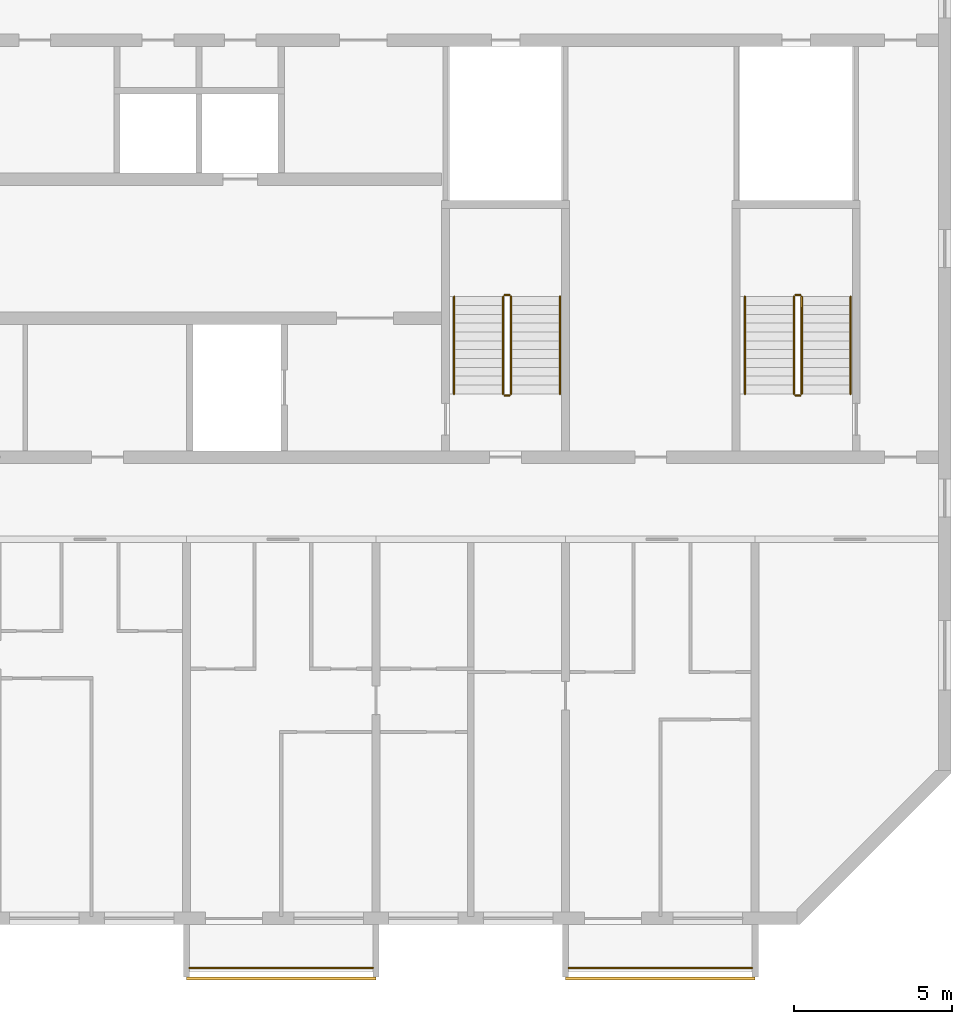
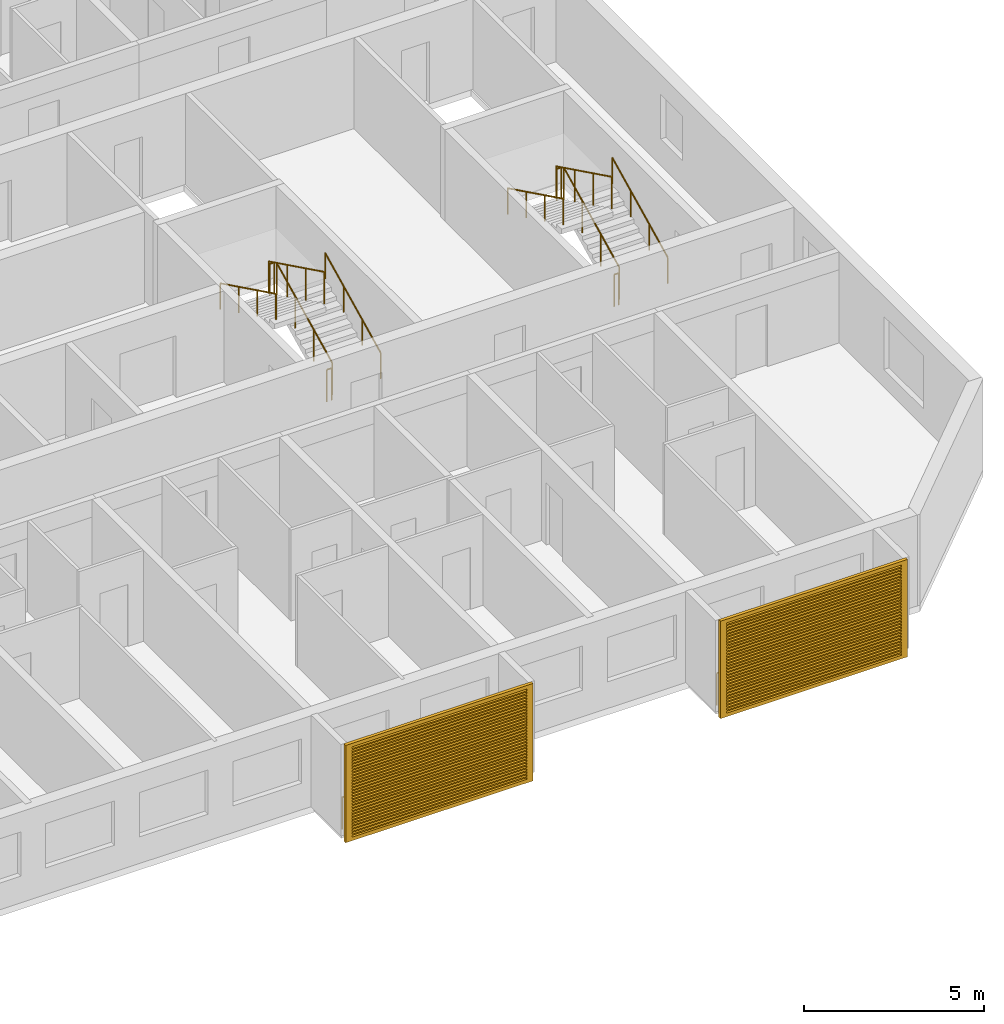
# One storey, part 14 of 28: 14 railings, 2 shading devices.
"""IFC4 building model written with IfcOpenShell, lengths in metres."""

from ifc_helpers import new_model, si_unit, direction, frame, origin, origin_2d, place, context, subcontext, project, spatial, polyline, circle, outline, extrude, source, transform, mapped, material, material_profile, profile_set, type_object, element, save


model = new_model("IFC4")

# Units and contexts
model_context = context("Model", 3, precision=1e-05, world=origin(), true_north=direction((0.0, 1.0)))
body_context = subcontext(model_context, "Body", "Model", "MODEL_VIEW")
ifc_project = project(units=[si_unit("LENGTHUNIT", "METRE"), si_unit("AREAUNIT", "SQUARE_METRE"), si_unit("VOLUMEUNIT", "CUBIC_METRE"), si_unit("PLANEANGLEUNIT", "RADIAN"), si_unit("MASSUNIT", "GRAM", prefix="KILO")], contexts=[model_context])

# Site, building, storey
site_placement = place(None, origin())
site = spatial("IfcSite", under=ifc_project, at=site_placement, CompositionType="ELEMENT")
building_placement = place(site_placement, origin())
building = spatial("IfcBuilding", under=site, at=building_placement, Name="Poui Terraces", CompositionType="ELEMENT")
storey_placement = place(building_placement, frame((0.0, 0.0, 185.10009765625)))
storey = spatial("IfcBuildingStorey", under=building, at=storey_placement, Name="L51", CompositionType="ELEMENT", Elevation=185.10009765625)

# Railings
ifc_material_1 = material(Name="Painted steel fretwork", Category="steel")
railing_type_1 = type_object("IfcRailingType", Name="BALCONY GUARD 1100", PredefinedType="GUARDRAIL", material=ifc_material_1)
for number, where, name in (
    (1, (60.10009765625, -1.570068359375, 0.0), "BALCONY GUARD"),
    (2, (72.10009765625, -1.570068359375, 0.0), "BALCONY GUARD"),
):
    element("IfcRailing", number, at=place(storey_placement, frame(where)), inside=storey, type_object=railing_type_1, Name=name, PredefinedType="GUARDRAIL", context=body_context, shape_type="SweptSolid", body=[
        extrude(circle(Radius=0.02392578125, at=origin_2d()), frame((0.0, 0.0, 1.076171875), z_axis=(1.0, 0.0, 0.0), x_axis=(0.0, 1.0, 0.0)), (0.0, 0.0, 1.0), 5.7998046875),
        extrude(circle(Radius=0.02099609375, at=origin_2d()), origin(), (0.0, 0.0, 1.0), 1.052001953125),
        extrude(circle(Radius=0.02099609375, at=origin_2d()), frame((0.966552734375, 0.0, 0.0)), (0.0, 0.0, 1.0), 1.052001953125),
        extrude(circle(Radius=0.02099609375, at=origin_2d()), frame((1.933349609375, 0.0, 0.0)), (0.0, 0.0, 1.0), 1.052001953125),
        extrude(circle(Radius=0.02099609375, at=origin_2d()), frame((2.89990234375, 0.0, 0.0)), (0.0, 0.0, 1.0), 1.052001953125),
        extrude(circle(Radius=0.02099609375, at=origin_2d()), frame((3.866455078125, 0.0, 0.0)), (0.0, 0.0, 1.0), 1.052001953125),
        extrude(circle(Radius=0.02099609375, at=origin_2d()), frame((4.833251953125, 0.0, 0.0)), (0.0, 0.0, 1.0), 1.052001953125),
        extrude(circle(Radius=0.02099609375, at=origin_2d()), frame((5.7998046875, 0.0, 0.0)), (0.0, 0.0, 1.0), 1.052001953125),
    ])
ifc_material_2 = material(Name="Galvanised steel balustrade", Category="steel")
railing_type_2 = type_object("IfcRailingType", Name="STAIR GUARD 1100", PredefinedType="GUARDRAIL", material=ifc_material_2)
railing_1_placement = place(storey_placement, frame((70.27490234375, 16.60009765625, 0.137451171875)))
element("IfcRailing", 3, at=railing_1_placement, inside=storey, type_object=railing_type_2, Name="L51 ST-CE stair guard 1", PredefinedType="GUARDRAIL", context=body_context, shape_type="SweptSolid", body=[
    extrude(circle(Radius=0.02392578125, at=origin_2d()), frame((0.0, 0.0, 1.076171875), z_axis=(0.0, 0.897606190399, 0.440798283751), x_axis=(-1.0, 0.0, 0.0)), (0.0, 0.0, 1.0), 3.43115234375),
    extrude(circle(Radius=0.02099609375, at=origin_2d()), origin(), (0.0, 0.0, 1.0), 1.052001953125),
    extrude(circle(Radius=0.02099609375, at=origin_2d()), frame((0.0, 1.026611328125, 0.504150390625)), (0.0, 0.0, 1.0), 1.052001953125),
    extrude(circle(Radius=0.02099609375, at=origin_2d()), frame((0.0, 2.05322265625, 1.00830078125)), (0.0, 0.0, 1.0), 1.052001953125),
    extrude(circle(Radius=0.02099609375, at=origin_2d()), frame((0.0, 3.079833984375, 1.512451171875)), (0.0, 0.0, 1.0), 1.052001953125),
])
railing_2_placement = place(storey_placement, frame((70.22509765625, 19.72998046875, 1.64990234375)))
element("IfcRailing", 4, at=railing_2_placement, inside=storey, type_object=railing_type_2, Name="L51 ST-CE stair guard 2", PredefinedType="GUARDRAIL", context=body_context, shape_type="SweptSolid", body=[
    extrude(circle(Radius=0.02392578125, at=origin_2d()), frame((0.0, 0.0, 1.076171875), z_axis=(-1.0, 0.0, 0.0), x_axis=(0.0, -1.0, 0.0)), (0.0, 0.0, 1.0), 0.150146484375),
    extrude(circle(Radius=0.02099609375, at=origin_2d()), origin(), (0.0, 0.0, 1.0), 1.052001953125),
    extrude(circle(Radius=0.02099609375, at=origin_2d()), frame((-0.150146484375, 0.0, 0.0)), (0.0, 0.0, 1.0), 1.052001953125),
])
railing_3_placement = place(storey_placement, frame((70.02490234375, 19.679931640625, 1.787353515625)))
element("IfcRailing", 5, at=railing_3_placement, inside=storey, type_object=railing_type_2, Name="L51 ST-CE stair guard 3", PredefinedType="GUARDRAIL", context=body_context, shape_type="SweptSolid", body=[
    extrude(circle(Radius=0.02392578125, at=origin_2d()), frame((0.0, 0.0, 1.076171875), z_axis=(0.0, -0.897606190399, 0.440798283751), x_axis=(1.0, 0.0, 0.0)), (0.0, 0.0, 1.0), 3.43115234375),
    extrude(circle(Radius=0.02099609375, at=origin_2d()), origin(), (0.0, 0.0, 1.0), 1.052001953125),
    extrude(circle(Radius=0.02099609375, at=origin_2d()), frame((0.0, -1.026611328125, 0.504150390625)), (0.0, 0.0, 1.0), 1.052001953125),
    extrude(circle(Radius=0.02099609375, at=origin_2d()), frame((0.0, -2.05322265625, 1.00830078125)), (0.0, 0.0, 1.0), 1.052001953125),
    extrude(circle(Radius=0.02099609375, at=origin_2d()), frame((0.0, -3.079833984375, 1.512451171875)), (0.0, 0.0, 1.0), 1.052001953125),
])
railing_4_placement = place(storey_placement, frame((70.22509765625, 16.550048828125, 0.0)))
element("IfcRailing", 6, at=railing_4_placement, inside=storey, type_object=railing_type_2, Name="L51 ST-CE stair guard 4", PredefinedType="GUARDRAIL", context=body_context, shape_type="SweptSolid", body=[
    extrude(circle(Radius=0.02392578125, at=origin_2d()), frame((0.0, 0.0, 1.076171875), z_axis=(-1.0, 0.0, 0.0), x_axis=(0.0, -1.0, 0.0)), (0.0, 0.0, 1.0), 0.150146484375),
    extrude(circle(Radius=0.02099609375, at=origin_2d()), origin(), (0.0, 0.0, 1.0), 1.052001953125),
    extrude(circle(Radius=0.02099609375, at=origin_2d()), frame((-0.150146484375, 0.0, 0.0)), (0.0, 0.0, 1.0), 1.052001953125),
])
railing_5_placement = place(storey_placement, frame((79.47509765625, 16.60009765625, 0.137451171875)))
element("IfcRailing", 7, at=railing_5_placement, inside=storey, type_object=railing_type_2, Name="L51 ST-E stair guard 1", PredefinedType="GUARDRAIL", context=body_context, shape_type="SweptSolid", body=[
    extrude(circle(Radius=0.02392578125, at=origin_2d()), frame((0.0, 0.0, 1.076171875), z_axis=(0.0, 0.897606190399, 0.440798283751), x_axis=(-1.0, 0.0, 0.0)), (0.0, 0.0, 1.0), 3.43115234375),
    extrude(circle(Radius=0.02099609375, at=origin_2d()), origin(), (0.0, 0.0, 1.0), 1.052001953125),
    extrude(circle(Radius=0.02099609375, at=origin_2d()), frame((0.0, 1.026611328125, 0.504150390625)), (0.0, 0.0, 1.0), 1.052001953125),
    extrude(circle(Radius=0.02099609375, at=origin_2d()), frame((0.0, 2.05322265625, 1.00830078125)), (0.0, 0.0, 1.0), 1.052001953125),
    extrude(circle(Radius=0.02099609375, at=origin_2d()), frame((0.0, 3.079833984375, 1.512451171875)), (0.0, 0.0, 1.0), 1.052001953125),
])
railing_6_placement = place(storey_placement, frame((79.425048828125, 19.72998046875, 1.64990234375)))
element("IfcRailing", 8, at=railing_6_placement, inside=storey, type_object=railing_type_2, Name="L51 ST-E stair guard 2", PredefinedType="GUARDRAIL", context=body_context, shape_type="SweptSolid", body=[
    extrude(circle(Radius=0.02392578125, at=origin_2d()), frame((0.0, 0.0, 1.076171875), z_axis=(-1.0, 0.0, 0.0), x_axis=(0.0, -1.0, 0.0)), (0.0, 0.0, 1.0), 0.150146484375),
    extrude(circle(Radius=0.02099609375, at=origin_2d()), origin(), (0.0, 0.0, 1.0), 1.052001953125),
    extrude(circle(Radius=0.02099609375, at=origin_2d()), frame((-0.150146484375, 0.0, 0.0)), (0.0, 0.0, 1.0), 1.052001953125),
])
railing_7_placement = place(storey_placement, frame((79.22509765625, 19.679931640625, 1.787353515625)))
element("IfcRailing", 9, at=railing_7_placement, inside=storey, type_object=railing_type_2, Name="L51 ST-E stair guard 3", PredefinedType="GUARDRAIL", context=body_context, shape_type="SweptSolid", body=[
    extrude(circle(Radius=0.02392578125, at=origin_2d()), frame((0.0, 0.0, 1.076171875), z_axis=(0.0, -0.897606190399, 0.440798283751), x_axis=(1.0, 0.0, 0.0)), (0.0, 0.0, 1.0), 3.43115234375),
    extrude(circle(Radius=0.02099609375, at=origin_2d()), origin(), (0.0, 0.0, 1.0), 1.052001953125),
    extrude(circle(Radius=0.02099609375, at=origin_2d()), frame((0.0, -1.026611328125, 0.504150390625)), (0.0, 0.0, 1.0), 1.052001953125),
    extrude(circle(Radius=0.02099609375, at=origin_2d()), frame((0.0, -2.05322265625, 1.00830078125)), (0.0, 0.0, 1.0), 1.052001953125),
    extrude(circle(Radius=0.02099609375, at=origin_2d()), frame((0.0, -3.079833984375, 1.512451171875)), (0.0, 0.0, 1.0), 1.052001953125),
])
railing_8_placement = place(storey_placement, frame((79.425048828125, 16.550048828125, 0.0)))
element("IfcRailing", 10, at=railing_8_placement, inside=storey, type_object=railing_type_2, Name="L51 ST-E stair guard 4", PredefinedType="GUARDRAIL", context=body_context, shape_type="SweptSolid", body=[
    extrude(circle(Radius=0.02392578125, at=origin_2d()), frame((0.0, 0.0, 1.076171875), z_axis=(-1.0, 0.0, 0.0), x_axis=(0.0, -1.0, 0.0)), (0.0, 0.0, 1.0), 0.150146484375),
    extrude(circle(Radius=0.02099609375, at=origin_2d()), origin(), (0.0, 0.0, 1.0), 1.052001953125),
    extrude(circle(Radius=0.02099609375, at=origin_2d()), frame((-0.150146484375, 0.0, 0.0)), (0.0, 0.0, 1.0), 1.052001953125),
])
ifc_material_3 = material(Name="Stainless steel handrail", Category="steel")
railing_type_3 = type_object("IfcRailingType", Name="STAIR HANDRAIL 900", PredefinedType="HANDRAIL", material=ifc_material_3)
railing_9_placement = place(storey_placement, frame((71.824951171875, 16.60009765625, 0.137451171875)))
element("IfcRailing", 11, at=railing_9_placement, inside=storey, type_object=railing_type_3, Name="L51 ST-CE stair handrail 1", PredefinedType="HANDRAIL", context=body_context, shape_type="SweptSolid", body=[
    extrude(circle(Radius=0.02392578125, at=origin_2d()), frame((0.0, 0.0, 0.8759765625), z_axis=(0.0, 0.897606190399, 0.440798283751), x_axis=(-1.0, 0.0, 0.0)), (0.0, 0.0, 1.0), 3.43115234375),
    extrude(circle(Radius=0.02099609375, at=origin_2d()), origin(), (0.0, 0.0, 1.0), 0.851806640625),
    extrude(circle(Radius=0.02099609375, at=origin_2d()), frame((0.0, 1.026611328125, 0.504150390625)), (0.0, 0.0, 1.0), 0.851806640625),
    extrude(circle(Radius=0.02099609375, at=origin_2d()), frame((0.0, 2.05322265625, 1.00830078125)), (0.0, 0.0, 1.0), 0.851806640625),
    extrude(circle(Radius=0.02099609375, at=origin_2d()), frame((0.0, 3.079833984375, 1.512451171875)), (0.0, 0.0, 1.0), 0.851806640625),
])
railing_10_placement = place(storey_placement, frame((68.47509765625, 19.679931640625, 1.787353515625)))
element("IfcRailing", 12, at=railing_10_placement, inside=storey, type_object=railing_type_3, Name="L51 ST-CE stair handrail 2", PredefinedType="HANDRAIL", context=body_context, shape_type="SweptSolid", body=[
    extrude(circle(Radius=0.02392578125, at=origin_2d()), frame((0.0, 0.0, 0.8759765625), z_axis=(0.0, -0.897606190399, 0.440798283751), x_axis=(1.0, 0.0, 0.0)), (0.0, 0.0, 1.0), 3.43115234375),
    extrude(circle(Radius=0.02099609375, at=origin_2d()), origin(), (0.0, 0.0, 1.0), 0.851806640625),
    extrude(circle(Radius=0.02099609375, at=origin_2d()), frame((0.0, -1.026611328125, 0.504150390625)), (0.0, 0.0, 1.0), 0.851806640625),
    extrude(circle(Radius=0.02099609375, at=origin_2d()), frame((0.0, -2.05322265625, 1.00830078125)), (0.0, 0.0, 1.0), 0.851806640625),
    extrude(circle(Radius=0.02099609375, at=origin_2d()), frame((0.0, -3.079833984375, 1.512451171875)), (0.0, 0.0, 1.0), 0.851806640625),
])
railing_11_placement = place(storey_placement, frame((81.02490234375, 16.60009765625, 0.137451171875)))
element("IfcRailing", 13, at=railing_11_placement, inside=storey, type_object=railing_type_3, Name="L51 ST-E stair handrail 1", PredefinedType="HANDRAIL", context=body_context, shape_type="SweptSolid", body=[
    extrude(circle(Radius=0.02392578125, at=origin_2d()), frame((0.0, 0.0, 0.8759765625), z_axis=(0.0, 0.897606190399, 0.440798283751), x_axis=(-1.0, 0.0, 0.0)), (0.0, 0.0, 1.0), 3.43115234375),
    extrude(circle(Radius=0.02099609375, at=origin_2d()), origin(), (0.0, 0.0, 1.0), 0.851806640625),
    extrude(circle(Radius=0.02099609375, at=origin_2d()), frame((0.0, 1.026611328125, 0.504150390625)), (0.0, 0.0, 1.0), 0.851806640625),
    extrude(circle(Radius=0.02099609375, at=origin_2d()), frame((0.0, 2.05322265625, 1.00830078125)), (0.0, 0.0, 1.0), 0.851806640625),
    extrude(circle(Radius=0.02099609375, at=origin_2d()), frame((0.0, 3.079833984375, 1.512451171875)), (0.0, 0.0, 1.0), 0.851806640625),
])
railing_12_placement = place(storey_placement, frame((77.675048828125, 19.679931640625, 1.787353515625)))
element("IfcRailing", 14, at=railing_12_placement, inside=storey, type_object=railing_type_3, Name="L51 ST-E stair handrail 2", PredefinedType="HANDRAIL", context=body_context, shape_type="SweptSolid", body=[
    extrude(circle(Radius=0.02392578125, at=origin_2d()), frame((0.0, 0.0, 0.8759765625), z_axis=(0.0, -0.897606190399, 0.440798283751), x_axis=(1.0, 0.0, 0.0)), (0.0, 0.0, 1.0), 3.43115234375),
    extrude(circle(Radius=0.02099609375, at=origin_2d()), origin(), (0.0, 0.0, 1.0), 0.851806640625),
    extrude(circle(Radius=0.02099609375, at=origin_2d()), frame((0.0, -1.026611328125, 0.504150390625)), (0.0, 0.0, 1.0), 0.851806640625),
    extrude(circle(Radius=0.02099609375, at=origin_2d()), frame((0.0, -2.05322265625, 1.00830078125)), (0.0, 0.0, 1.0), 0.851806640625),
    extrude(circle(Radius=0.02099609375, at=origin_2d()), frame((0.0, -3.079833984375, 1.512451171875)), (0.0, 0.0, 1.0), 0.851806640625),
])

# Shading devices
ifc_material_4 = material(Name="Aluminium louvre", Category="aluminium")
ifc_material_profile = material_profile(ifc_material_4, outline(polyline([(-3.0, -1.64990234375), (3.0, -1.64990234375), (3.0, 1.64990234375), (-3.0, 1.64990234375), (-3.0, -1.64990234375)]), holes=[polyline([(-2.800048828125, -1.530029296875), (2.800048828125, -1.530029296875), (2.800048828125, -1.469970703125), (-2.800048828125, -1.469970703125), (-2.800048828125, -1.530029296875)]), polyline([(-2.800048828125, -1.429931640625), (2.800048828125, -1.429931640625), (2.800048828125, -1.3701171875), (-2.800048828125, -1.3701171875), (-2.800048828125, -1.429931640625)]), polyline([(-2.800048828125, -1.330078125), (2.800048828125, -1.330078125), (2.800048828125, -1.27001953125), (-2.800048828125, -1.27001953125), (-2.800048828125, -1.330078125)]), polyline([(-2.800048828125, -1.22998046875), (2.800048828125, -1.22998046875), (2.800048828125, -1.169921875), (-2.800048828125, -1.169921875), (-2.800048828125, -1.22998046875)]), polyline([(-2.800048828125, -1.1298828125), (2.800048828125, -1.1298828125), (2.800048828125, -1.070068359375), (-2.800048828125, -1.070068359375), (-2.800048828125, -1.1298828125)]), polyline([(-2.800048828125, -1.030029296875), (2.800048828125, -1.030029296875), (2.800048828125, -0.969970703125), (-2.800048828125, -0.969970703125), (-2.800048828125, -1.030029296875)]), polyline([(-2.800048828125, -0.929931640625), (2.800048828125, -0.929931640625), (2.800048828125, -0.8701171875), (-2.800048828125, -0.8701171875), (-2.800048828125, -0.929931640625)]), polyline([(-2.800048828125, -0.830078125), (2.800048828125, -0.830078125), (2.800048828125, -0.77001953125), (-2.800048828125, -0.77001953125), (-2.800048828125, -0.830078125)]), polyline([(-2.800048828125, -0.72998046875), (2.800048828125, -0.72998046875), (2.800048828125, -0.669921875), (-2.800048828125, -0.669921875), (-2.800048828125, -0.72998046875)]), polyline([(-2.800048828125, -0.6298828125), (2.800048828125, -0.6298828125), (2.800048828125, -0.570068359375), (-2.800048828125, -0.570068359375), (-2.800048828125, -0.6298828125)]), polyline([(-2.800048828125, -0.530029296875), (2.800048828125, -0.530029296875), (2.800048828125, -0.469970703125), (-2.800048828125, -0.469970703125), (-2.800048828125, -0.530029296875)]), polyline([(-2.800048828125, -0.429931640625), (2.800048828125, -0.429931640625), (2.800048828125, -0.3701171875), (-2.800048828125, -0.3701171875), (-2.800048828125, -0.429931640625)]), polyline([(-2.800048828125, -0.330078125), (2.800048828125, -0.330078125), (2.800048828125, -0.27001953125), (-2.800048828125, -0.27001953125), (-2.800048828125, -0.330078125)]), polyline([(-2.800048828125, -0.22998046875), (2.800048828125, -0.22998046875), (2.800048828125, -0.169921875), (-2.800048828125, -0.169921875), (-2.800048828125, -0.22998046875)]), polyline([(-2.800048828125, -0.1298828125), (2.800048828125, -0.1298828125), (2.800048828125, -0.070068359375), (-2.800048828125, -0.070068359375), (-2.800048828125, -0.1298828125)]), polyline([(-2.800048828125, -0.030029296875), (2.800048828125, -0.030029296875), (2.800048828125, 0.030029296875), (-2.800048828125, 0.030029296875), (-2.800048828125, -0.030029296875)]), polyline([(-2.800048828125, 0.070068359375), (2.800048828125, 0.070068359375), (2.800048828125, 0.1298828125), (-2.800048828125, 0.1298828125), (-2.800048828125, 0.070068359375)]), polyline([(-2.800048828125, 0.169921875), (2.800048828125, 0.169921875), (2.800048828125, 0.22998046875), (-2.800048828125, 0.22998046875), (-2.800048828125, 0.169921875)]), polyline([(-2.800048828125, 0.27001953125), (2.800048828125, 0.27001953125), (2.800048828125, 0.330078125), (-2.800048828125, 0.330078125), (-2.800048828125, 0.27001953125)]), polyline([(-2.800048828125, 0.3701171875), (2.800048828125, 0.3701171875), (2.800048828125, 0.429931640625), (-2.800048828125, 0.429931640625), (-2.800048828125, 0.3701171875)]), polyline([(-2.800048828125, 0.469970703125), (2.800048828125, 0.469970703125), (2.800048828125, 0.530029296875), (-2.800048828125, 0.530029296875), (-2.800048828125, 0.469970703125)]), polyline([(-2.800048828125, 0.570068359375), (2.800048828125, 0.570068359375), (2.800048828125, 0.6298828125), (-2.800048828125, 0.6298828125), (-2.800048828125, 0.570068359375)]), polyline([(-2.800048828125, 0.669921875), (2.800048828125, 0.669921875), (2.800048828125, 0.72998046875), (-2.800048828125, 0.72998046875), (-2.800048828125, 0.669921875)]), polyline([(-2.800048828125, 0.77001953125), (2.800048828125, 0.77001953125), (2.800048828125, 0.830078125), (-2.800048828125, 0.830078125), (-2.800048828125, 0.77001953125)]), polyline([(-2.800048828125, 0.8701171875), (2.800048828125, 0.8701171875), (2.800048828125, 0.929931640625), (-2.800048828125, 0.929931640625), (-2.800048828125, 0.8701171875)]), polyline([(-2.800048828125, 0.969970703125), (2.800048828125, 0.969970703125), (2.800048828125, 1.030029296875), (-2.800048828125, 1.030029296875), (-2.800048828125, 0.969970703125)]), polyline([(-2.800048828125, 1.070068359375), (2.800048828125, 1.070068359375), (2.800048828125, 1.1298828125), (-2.800048828125, 1.1298828125), (-2.800048828125, 1.070068359375)]), polyline([(-2.800048828125, 1.169921875), (2.800048828125, 1.169921875), (2.800048828125, 1.22998046875), (-2.800048828125, 1.22998046875), (-2.800048828125, 1.169921875)]), polyline([(-2.800048828125, 1.27001953125), (2.800048828125, 1.27001953125), (2.800048828125, 1.330078125), (-2.800048828125, 1.330078125), (-2.800048828125, 1.27001953125)]), polyline([(-2.800048828125, 1.3701171875), (2.800048828125, 1.3701171875), (2.800048828125, 1.429931640625), (-2.800048828125, 1.429931640625), (-2.800048828125, 1.3701171875)]), polyline([(-2.800048828125, 1.469970703125), (2.800048828125, 1.469970703125), (2.800048828125, 1.530029296875), (-2.800048828125, 1.530029296875), (-2.800048828125, 1.469970703125)])]), Name="JALOUSIE LOUVRE SHUTTER 6000X3300")
ifc_profile_set = profile_set([ifc_material_profile], Name="Aluminium louvre")
shading_device_type = type_object("IfcShadingDeviceType", Name="JALOUSIE LOUVRE SHUTTER 6000X3300", PredefinedType="JALOUSIE", material=ifc_profile_set)
shared_shape = source(origin(), body_context, "Body", "SweptSolid", [
    extrude(outline(polyline([(-3.0, -1.64990234375), (3.0, -1.64990234375), (3.0, 1.64990234375), (-3.0, 1.64990234375), (-3.0, -1.64990234375)]), holes=[polyline([(-2.800048828125, -1.530029296875), (2.800048828125, -1.530029296875), (2.800048828125, -1.469970703125), (-2.800048828125, -1.469970703125), (-2.800048828125, -1.530029296875)]), polyline([(-2.800048828125, -1.429931640625), (2.800048828125, -1.429931640625), (2.800048828125, -1.3701171875), (-2.800048828125, -1.3701171875), (-2.800048828125, -1.429931640625)]), polyline([(-2.800048828125, -1.330078125), (2.800048828125, -1.330078125), (2.800048828125, -1.27001953125), (-2.800048828125, -1.27001953125), (-2.800048828125, -1.330078125)]), polyline([(-2.800048828125, -1.22998046875), (2.800048828125, -1.22998046875), (2.800048828125, -1.169921875), (-2.800048828125, -1.169921875), (-2.800048828125, -1.22998046875)]), polyline([(-2.800048828125, -1.1298828125), (2.800048828125, -1.1298828125), (2.800048828125, -1.070068359375), (-2.800048828125, -1.070068359375), (-2.800048828125, -1.1298828125)]), polyline([(-2.800048828125, -1.030029296875), (2.800048828125, -1.030029296875), (2.800048828125, -0.969970703125), (-2.800048828125, -0.969970703125), (-2.800048828125, -1.030029296875)]), polyline([(-2.800048828125, -0.929931640625), (2.800048828125, -0.929931640625), (2.800048828125, -0.8701171875), (-2.800048828125, -0.8701171875), (-2.800048828125, -0.929931640625)]), polyline([(-2.800048828125, -0.830078125), (2.800048828125, -0.830078125), (2.800048828125, -0.77001953125), (-2.800048828125, -0.77001953125), (-2.800048828125, -0.830078125)]), polyline([(-2.800048828125, -0.72998046875), (2.800048828125, -0.72998046875), (2.800048828125, -0.669921875), (-2.800048828125, -0.669921875), (-2.800048828125, -0.72998046875)]), polyline([(-2.800048828125, -0.6298828125), (2.800048828125, -0.6298828125), (2.800048828125, -0.570068359375), (-2.800048828125, -0.570068359375), (-2.800048828125, -0.6298828125)]), polyline([(-2.800048828125, -0.530029296875), (2.800048828125, -0.530029296875), (2.800048828125, -0.469970703125), (-2.800048828125, -0.469970703125), (-2.800048828125, -0.530029296875)]), polyline([(-2.800048828125, -0.429931640625), (2.800048828125, -0.429931640625), (2.800048828125, -0.3701171875), (-2.800048828125, -0.3701171875), (-2.800048828125, -0.429931640625)]), polyline([(-2.800048828125, -0.330078125), (2.800048828125, -0.330078125), (2.800048828125, -0.27001953125), (-2.800048828125, -0.27001953125), (-2.800048828125, -0.330078125)]), polyline([(-2.800048828125, -0.22998046875), (2.800048828125, -0.22998046875), (2.800048828125, -0.169921875), (-2.800048828125, -0.169921875), (-2.800048828125, -0.22998046875)]), polyline([(-2.800048828125, -0.1298828125), (2.800048828125, -0.1298828125), (2.800048828125, -0.070068359375), (-2.800048828125, -0.070068359375), (-2.800048828125, -0.1298828125)]), polyline([(-2.800048828125, -0.030029296875), (2.800048828125, -0.030029296875), (2.800048828125, 0.030029296875), (-2.800048828125, 0.030029296875), (-2.800048828125, -0.030029296875)]), polyline([(-2.800048828125, 0.070068359375), (2.800048828125, 0.070068359375), (2.800048828125, 0.1298828125), (-2.800048828125, 0.1298828125), (-2.800048828125, 0.070068359375)]), polyline([(-2.800048828125, 0.169921875), (2.800048828125, 0.169921875), (2.800048828125, 0.22998046875), (-2.800048828125, 0.22998046875), (-2.800048828125, 0.169921875)]), polyline([(-2.800048828125, 0.27001953125), (2.800048828125, 0.27001953125), (2.800048828125, 0.330078125), (-2.800048828125, 0.330078125), (-2.800048828125, 0.27001953125)]), polyline([(-2.800048828125, 0.3701171875), (2.800048828125, 0.3701171875), (2.800048828125, 0.429931640625), (-2.800048828125, 0.429931640625), (-2.800048828125, 0.3701171875)]), polyline([(-2.800048828125, 0.469970703125), (2.800048828125, 0.469970703125), (2.800048828125, 0.530029296875), (-2.800048828125, 0.530029296875), (-2.800048828125, 0.469970703125)]), polyline([(-2.800048828125, 0.570068359375), (2.800048828125, 0.570068359375), (2.800048828125, 0.6298828125), (-2.800048828125, 0.6298828125), (-2.800048828125, 0.570068359375)]), polyline([(-2.800048828125, 0.669921875), (2.800048828125, 0.669921875), (2.800048828125, 0.72998046875), (-2.800048828125, 0.72998046875), (-2.800048828125, 0.669921875)]), polyline([(-2.800048828125, 0.77001953125), (2.800048828125, 0.77001953125), (2.800048828125, 0.830078125), (-2.800048828125, 0.830078125), (-2.800048828125, 0.77001953125)]), polyline([(-2.800048828125, 0.8701171875), (2.800048828125, 0.8701171875), (2.800048828125, 0.929931640625), (-2.800048828125, 0.929931640625), (-2.800048828125, 0.8701171875)]), polyline([(-2.800048828125, 0.969970703125), (2.800048828125, 0.969970703125), (2.800048828125, 1.030029296875), (-2.800048828125, 1.030029296875), (-2.800048828125, 0.969970703125)]), polyline([(-2.800048828125, 1.070068359375), (2.800048828125, 1.070068359375), (2.800048828125, 1.1298828125), (-2.800048828125, 1.1298828125), (-2.800048828125, 1.070068359375)]), polyline([(-2.800048828125, 1.169921875), (2.800048828125, 1.169921875), (2.800048828125, 1.22998046875), (-2.800048828125, 1.22998046875), (-2.800048828125, 1.169921875)]), polyline([(-2.800048828125, 1.27001953125), (2.800048828125, 1.27001953125), (2.800048828125, 1.330078125), (-2.800048828125, 1.330078125), (-2.800048828125, 1.27001953125)]), polyline([(-2.800048828125, 1.3701171875), (2.800048828125, 1.3701171875), (2.800048828125, 1.429931640625), (-2.800048828125, 1.429931640625), (-2.800048828125, 1.3701171875)]), polyline([(-2.800048828125, 1.469970703125), (2.800048828125, 1.469970703125), (2.800048828125, 1.530029296875), (-2.800048828125, 1.530029296875), (-2.800048828125, 1.469970703125)])]), origin(), (0.0, 0.0, 1.0), 0.099853515625),
])
for number, where, z_axis, x_axis, name in (
    (15, (63.0, -1.85009765625, 1.449951171875), (0.0, -1.0, 0.0), (1.0, 0.0, 0.0), "JALOUSIE LOUVRE SHUTTER"),
    (16, (75.0, -1.85009765625, 1.449951171875), (0.0, -1.0, 0.0), (1.0, 0.0, 0.0), "JALOUSIE LOUVRE SHUTTER"),
):
    element("IfcShadingDevice", number, at=place(storey_placement, frame(where, z_axis=z_axis, x_axis=x_axis)), inside=storey, type_object=shading_device_type, Name=name, PredefinedType="JALOUSIE", context=body_context, shape_type="MappedRepresentation", body=[
        mapped(shared_shape, transform((0.0, 0.0, 0.0))),
    ])

save(model, "model.ifc")
